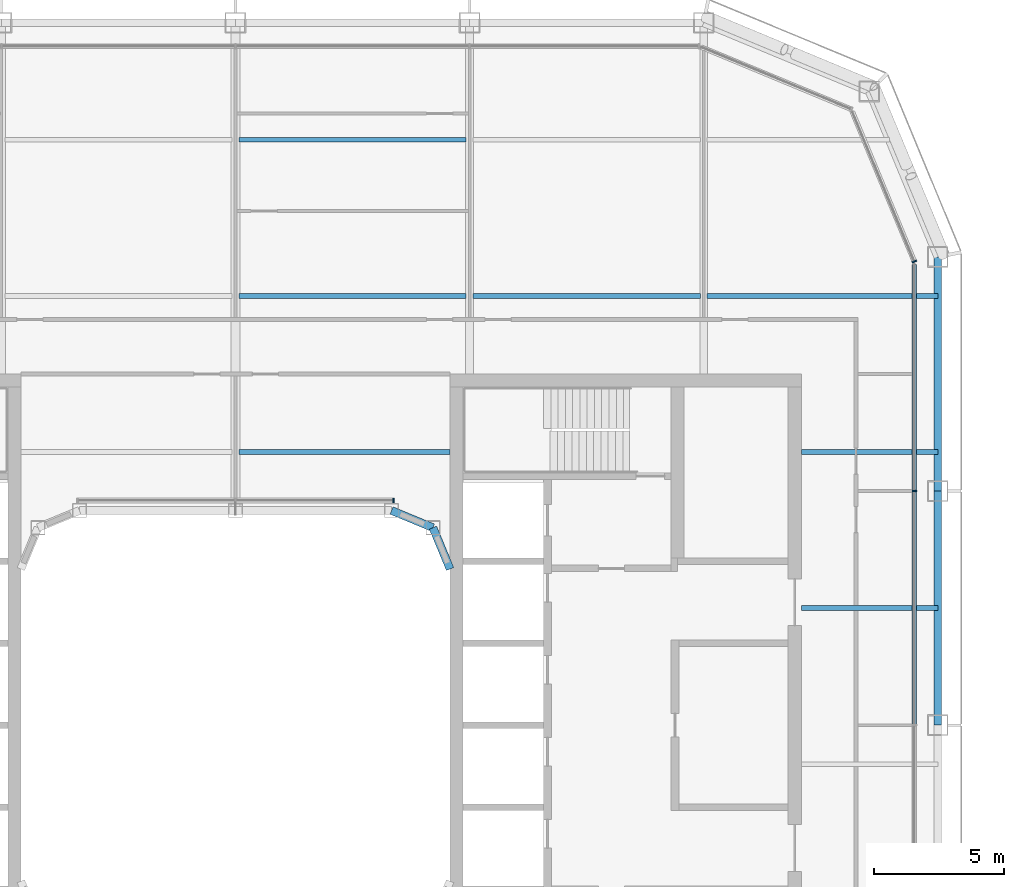
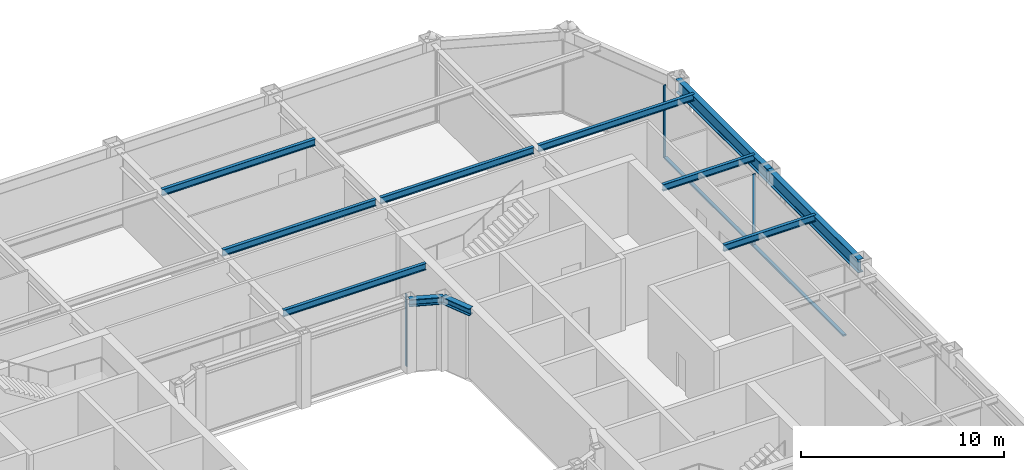
# One storey, part 9 of 23: 11 beams, 5 members, 3 elements without a shape of their own.
"""IFC4 building model written with IfcOpenShell, lengths in metres."""

from ifc_helpers import new_model, si_unit, direction, frame, origin, origin_2d, place, context, subcontext, project, spatial, rectangle, i_section, extrude, material, layer, layer_set, material_profile, profile_set, type_object, element, aggregate, save


model = new_model("IFC4")

# Units and contexts
model_context = context("Model", 3, precision=1e-05, world=origin(), true_north=direction((0.0, 1.0)))
body_context = subcontext(model_context, "Body", "Model", "MODEL_VIEW")
ifc_project = project(units=[si_unit("LENGTHUNIT", "METRE"), si_unit("AREAUNIT", "SQUARE_METRE"), si_unit("VOLUMEUNIT", "CUBIC_METRE"), si_unit("PLANEANGLEUNIT", "RADIAN"), si_unit("MASSUNIT", "GRAM", prefix="KILO")], contexts=[model_context])

# Site, building, storey
site_placement = place(None, origin())
site = spatial("IfcSite", under=ifc_project, at=site_placement, CompositionType="ELEMENT")
building_placement = place(site_placement, origin())
building = spatial("IfcBuilding", under=site, at=building_placement, Name="Siwar Civic Tower", CompositionType="ELEMENT")
storey_placement = place(building_placement, frame((0.0, 0.0, 237.699951171875)))
storey = spatial("IfcBuildingStorey", under=building, at=storey_placement, Name="L51", CompositionType="ELEMENT", Elevation=237.699951171875)

# Curtain wall, member
ifc_material_1 = material(Name="Aluminium and glass", Category="aluminium")
ifc_layer_1 = layer(ifc_material_1, 0.179931640625)
ifc_layer_set_1 = layer_set([ifc_layer_1], Name="Aluminium and glass")
curtain_wall_type_1 = type_object("IfcCurtainWallType", Name="ENV-CW-C", PredefinedType="NOTDEFINED", material=ifc_layer_set_1)
curtain_wall_1_placement = place(storey_placement, origin())
curtain_wall_1 = element("IfcCurtainWall", 1, at=curtain_wall_1_placement, inside=storey, type_object=curtain_wall_type_1, Name="Curtain wall C E", PredefinedType="NOTDEFINED")
ifc_material_2 = material(Name="Aluminium 6063-T6", Category="aluminium")
ifc_material_profile_1 = material_profile(ifc_material_2, rectangle(XDim=0.179931640625, YDim=0.06005859375, at=origin_2d()), Name="AL 180x60")
ifc_profile_set_1 = profile_set([ifc_material_profile_1], Name="Aluminium 6063-T6")
member_type_1 = type_object("IfcMemberType", Name="ENV-MULLION-C", PredefinedType="MULLION", material=ifc_profile_set_1)
member_1_placement = place(storey_placement, frame((26.10009765625, 9.0, 0.0), z_axis=(0.0, 0.0, 1.0), x_axis=(-1.0, 0.0, 0.0)))
member_1 = element("IfcMember", 2, at=member_1_placement, type_object=member_type_1, Name="Mullion C E 4", PredefinedType="MULLION", context=body_context, shape_type="SweptSolid", body=[
    extrude(rectangle(XDim=0.179931640625, YDim=0.06005859375, at=origin_2d()), origin(), (0.0, 0.0, 1.0), 4.35009765625),
])

ifc_material_3 = material(Name="Aluminium clad insulated panel", Category="aluminium")
ifc_layer_2 = layer(ifc_material_3, 0.179931640625)
ifc_layer_set_2 = layer_set([ifc_layer_2], Name="Aluminium clad insulated panel")
curtain_wall_type_2 = type_object("IfcCurtainWallType", Name="ENV-CW-CX", PredefinedType="NOTDEFINED", material=ifc_layer_set_2)
curtain_wall_2_placement = place(storey_placement, origin())
curtain_wall_2 = element("IfcCurtainWall", 3, at=curtain_wall_2_placement, inside=storey, type_object=curtain_wall_type_2, Name="Curtain wall C NE1", PredefinedType="NOTDEFINED")
member_2_placement = place(storey_placement, frame((26.10009765625, 17.821044921875, 0.0), z_axis=(0.0, 0.0, 1.0), x_axis=(-0.923879532511, -0.382683432365, 0.0)))
member_2 = element("IfcMember", 4, at=member_2_placement, type_object=member_type_1, Name="Mullion C NE1 1", PredefinedType="MULLION", context=body_context, shape_type="SweptSolid", body=[
    extrude(rectangle(XDim=0.179931640625, YDim=0.06005859375, at=origin_2d()), origin(), (0.0, 0.0, 1.0), 4.35009765625),
])
aggregate(curtain_wall_2, [member_2])

ifc_material_4 = material(Name="Aluminium and glass", Category="aluminium")
ifc_layer_3 = layer(ifc_material_4, 0.179931640625)
ifc_layer_set_3 = layer_set([ifc_layer_3], Name="Aluminium and glass")
curtain_wall_type_3 = type_object("IfcCurtainWallType", Name="ENV-CW-W", PredefinedType="NOTDEFINED", material=ifc_layer_set_3)
curtain_wall_3_placement = place(storey_placement, origin())
curtain_wall_3 = element("IfcCurtainWall", 5, at=curtain_wall_3_placement, inside=storey, type_object=curtain_wall_type_3, Name="Curtain wall W WN", PredefinedType="NOTDEFINED")
ifc_material_5 = material(Name="Aluminium 6063-T6", Category="aluminium")
ifc_material_profile_2 = material_profile(ifc_material_5, rectangle(XDim=0.179931640625, YDim=0.06005859375, at=origin_2d()), Name="AL 180x60")
ifc_profile_set_2 = profile_set([ifc_material_profile_2], Name="Aluminium 6063-T6")
member_type_2 = type_object("IfcMemberType", Name="ENV-MULLION-W", PredefinedType="MULLION", material=ifc_profile_set_2)
member_3_placement = place(storey_placement, frame((6.07666015625, 8.635009765625, 0.0), z_axis=(0.0, 0.0, 1.0), x_axis=(0.0, -1.0, 0.0)))
member_3 = element("IfcMember", 6, at=member_3_placement, type_object=member_type_2, Name="Mullion W WN 1", PredefinedType="MULLION", context=body_context, shape_type="SweptSolid", body=[
    extrude(rectangle(XDim=0.179931640625, YDim=0.06005859375, at=origin_2d()), origin(), (0.0, 0.0, 1.0), 4.35009765625),
])
aggregate(curtain_wall_3, [member_3])

# Member
ifc_material_6 = material(Name="Aluminium 6063-T6", Category="aluminium")
ifc_material_profile_3 = material_profile(ifc_material_6, rectangle(XDim=0.179931640625, YDim=0.10009765625, at=origin_2d()), Name="AL 180x100")
ifc_profile_set_3 = profile_set([ifc_material_profile_3], Name="Aluminium 6063-T6")
member_type_3 = type_object("IfcMemberType", Name="ENV-TRANSOM-C", PredefinedType="USERDEFINED", material=ifc_profile_set_3)
member_4_placement = place(storey_placement, frame((26.10009765625, 0.030029296875, 0.050048828125), z_axis=(0.0, 1.0, 0.0), x_axis=(-1.0, 0.0, 0.0)))
member_4 = element("IfcMember", 7, at=member_4_placement, type_object=member_type_3, Name="Transom C E 3", ObjectType="TRANSOM", PredefinedType="USERDEFINED", context=body_context, shape_type="SweptSolid", body=[
    extrude(rectangle(XDim=0.179931640625, YDim=0.10009765625, at=origin_2d()), origin(), (0.0, 0.0, 1.0), 8.93994140625),
])

member_5_placement = place(storey_placement, frame((26.10009765625, 9.030029296875, 0.050048828125), z_axis=(0.0, 1.0, 0.0), x_axis=(-1.0, 0.0, 0.0)))
member_5 = element("IfcMember", 8, at=member_5_placement, type_object=member_type_3, Name="Transom C E 4", ObjectType="TRANSOM", PredefinedType="USERDEFINED", context=body_context, shape_type="SweptSolid", body=[
    extrude(rectangle(XDim=0.179931640625, YDim=0.10009765625, at=origin_2d()), origin(), (0.0, 0.0, 1.0), 8.68603515625),
])

aggregate(curtain_wall_1, [member_1, member_4, member_5])

# Beams
ifc_material_7 = material(Name="Steel S355", Category="steel")
ifc_material_profile_4 = material_profile(ifc_material_7, i_section(OverallWidth=0.179931640625, OverallDepth=0.39990234375, WebThickness=0.008544921875, FlangeThickness=0.013427734375, FilletRadius=0.02099609375, at=origin_2d()), Name="IPE400")
ifc_profile_set_4 = profile_set([ifc_material_profile_4], Name="Steel S355")
beam_type_1 = type_object("IfcBeamType", Name="STR-FB-IPE400", PredefinedType="JOIST", material=ifc_profile_set_4)
beam_1_placement = place(storey_placement, frame((21.75, 4.5, 4.150146484375), z_axis=(1.0, 0.0, 0.0), x_axis=(0.0, 1.0, 0.0)))
element("IfcBeam", 9, at=beam_1_placement, inside=storey, type_object=beam_type_1, Name="L51/bm/F026", PredefinedType="JOIST", context=body_context, shape_type="SweptSolid", body=[
    extrude(i_section(OverallWidth=0.179931640625, OverallDepth=0.39990234375, WebThickness=0.008544921875, FlangeThickness=0.013427734375, FilletRadius=0.02099609375, at=origin_2d()), origin(), (0.0, 0.0, 1.0), 5.25),
])
beam_2_placement = place(storey_placement, frame((0.1298828125, 10.5, 4.150146484375), z_axis=(1.0, 0.0, 0.0), x_axis=(0.0, 1.0, 0.0)))
element("IfcBeam", 10, at=beam_2_placement, inside=storey, type_object=beam_type_1, Name="L51/bm/F029", PredefinedType="JOIST", context=body_context, shape_type="SweptSolid", body=[
    extrude(i_section(OverallWidth=0.179931640625, OverallDepth=0.39990234375, WebThickness=0.008544921875, FlangeThickness=0.013427734375, FilletRadius=0.02099609375, at=origin_2d()), origin(), (0.0, 0.0, 1.0), 8.1201171875),
])
beam_3_placement = place(storey_placement, frame((21.75, 10.5, 4.150146484375), z_axis=(1.0, 0.0, 0.0), x_axis=(0.0, 1.0, 0.0)))
element("IfcBeam", 11, at=beam_3_placement, inside=storey, type_object=beam_type_1, Name="L51/bm/F030", PredefinedType="JOIST", context=body_context, shape_type="SweptSolid", body=[
    extrude(i_section(OverallWidth=0.179931640625, OverallDepth=0.39990234375, WebThickness=0.008544921875, FlangeThickness=0.013427734375, FilletRadius=0.02099609375, at=origin_2d()), origin(), (0.0, 0.0, 1.0), 5.25),
])
for number, where, z_axis, x_axis, name in (
    (12, (0.1298828125, 16.5, 4.150146484375), (1.0, 0.0, 0.0), (0.0, 1.0, 0.0), "L51/bm/F034"),
    (13, (9.1298828125, 16.5, 4.150146484375), (1.0, 0.0, 0.0), (0.0, 1.0, 0.0), "L51/bm/F035"),
):
    element("IfcBeam", number, at=place(storey_placement, frame(where, z_axis=z_axis, x_axis=x_axis)), inside=storey, type_object=beam_type_1, Name=name, PredefinedType="JOIST", context=body_context, shape_type="SweptSolid", body=[
        extrude(i_section(OverallWidth=0.179931640625, OverallDepth=0.39990234375, WebThickness=0.008544921875, FlangeThickness=0.013427734375, FilletRadius=0.02099609375, at=origin_2d()), origin(), (0.0, 0.0, 1.0), 8.740234375),
    ])
beam_4_placement = place(storey_placement, frame((18.1298828125, 16.5, 4.150146484375), z_axis=(1.0, 0.0, 0.0), x_axis=(0.0, 1.0, 0.0)))
element("IfcBeam", 14, at=beam_4_placement, inside=storey, type_object=beam_type_1, Name="L51/bm/F036", PredefinedType="JOIST", context=body_context, shape_type="SweptSolid", body=[
    extrude(i_section(OverallWidth=0.179931640625, OverallDepth=0.39990234375, WebThickness=0.008544921875, FlangeThickness=0.013427734375, FilletRadius=0.02099609375, at=origin_2d()), origin(), (0.0, 0.0, 1.0), 8.8701171875),
])
beam_5_placement = place(storey_placement, frame((0.1298828125, 22.5, 4.150146484375), z_axis=(1.0, 0.0, 0.0), x_axis=(0.0, 1.0, 0.0)))
element("IfcBeam", 15, at=beam_5_placement, inside=storey, type_object=beam_type_1, Name="L51/bm/F040", PredefinedType="JOIST", context=body_context, shape_type="SweptSolid", body=[
    extrude(i_section(OverallWidth=0.179931640625, OverallDepth=0.39990234375, WebThickness=0.008544921875, FlangeThickness=0.013427734375, FilletRadius=0.02099609375, at=origin_2d()), origin(), (0.0, 0.0, 1.0), 8.740234375),
])
ifc_material_8 = material(Name="Steel S355", Category="steel")
ifc_material_profile_5 = material_profile(ifc_material_8, i_section(OverallWidth=0.306884765625, OverallDepth=0.431884765625, WebThickness=0.02099609375, FlangeThickness=0.0400390625, FilletRadius=0.027099609375, at=origin_2d()), Name="HEM400")
ifc_profile_set_5 = profile_set([ifc_material_profile_5], Name="Steel S355")
beam_type_2 = type_object("IfcBeamType", Name="STR-RB-HEM400", PredefinedType="BEAM", material=ifc_profile_set_5)
for number, where, z_axis, x_axis, name in (
    (16, (6.0, 8.25, 4.134033203125), (0.923901072997, -0.382631424892, 0.0), (0.382631424892, 0.923901072997, 0.0), "L51/bm/RN3"),
    (17, (7.591064453125, 7.591064453125, 4.134033203125), (0.382631424892, -0.923901072997, 0.0), (0.923901072997, 0.382631424892, 0.0), "L51/bm/RNEE"),
):
    element("IfcBeam", number, at=place(storey_placement, frame(where, z_axis=z_axis, x_axis=x_axis)), inside=storey, type_object=beam_type_2, Name=name, PredefinedType="BEAM", context=body_context, shape_type="SweptSolid", body=[
        extrude(i_section(OverallWidth=0.306884765625, OverallDepth=0.431884765625, WebThickness=0.02099609375, FlangeThickness=0.0400390625, FilletRadius=0.027099609375, at=origin_2d()), origin(), (0.0, 0.0, 1.0), 1.72216796875),
    ])
ifc_material_9 = material(Name="Steel S355", Category="steel")
ifc_material_profile_6 = material_profile(ifc_material_9, i_section(OverallWidth=0.300048828125, OverallDepth=0.800048828125, WebThickness=0.017578125, FlangeThickness=0.032958984375, FilletRadius=0.030029296875, at=origin_2d()), Name="HEB800")
ifc_profile_set_6 = profile_set([ifc_material_profile_6], Name="Steel S355")
beam_type_3 = type_object("IfcBeamType", Name="STR-SB-HEB800", PredefinedType="BEAM", material=ifc_profile_set_6)
for number, where, z_axis, x_axis, name in (
    (18, (27.0, 0.0, 3.949951171875), (0.0, 1.0, 0.0), (-1.0, 0.0, 0.0), "L51/bm/SE-2"),
    (19, (27.0, 9.0, 3.949951171875), (0.0, 1.0, 0.0), (-1.0, 0.0, 0.0), "L51/bm/SE-3"),
):
    element("IfcBeam", number, at=place(storey_placement, frame(where, z_axis=z_axis, x_axis=x_axis)), inside=storey, type_object=beam_type_3, Name=name, PredefinedType="BEAM", context=body_context, shape_type="SweptSolid", body=[
        extrude(i_section(OverallWidth=0.300048828125, OverallDepth=0.800048828125, WebThickness=0.017578125, FlangeThickness=0.032958984375, FilletRadius=0.030029296875, at=origin_2d()), origin(), (0.0, 0.0, 1.0), 9.0),
    ])

save(model, "model.ifc")
